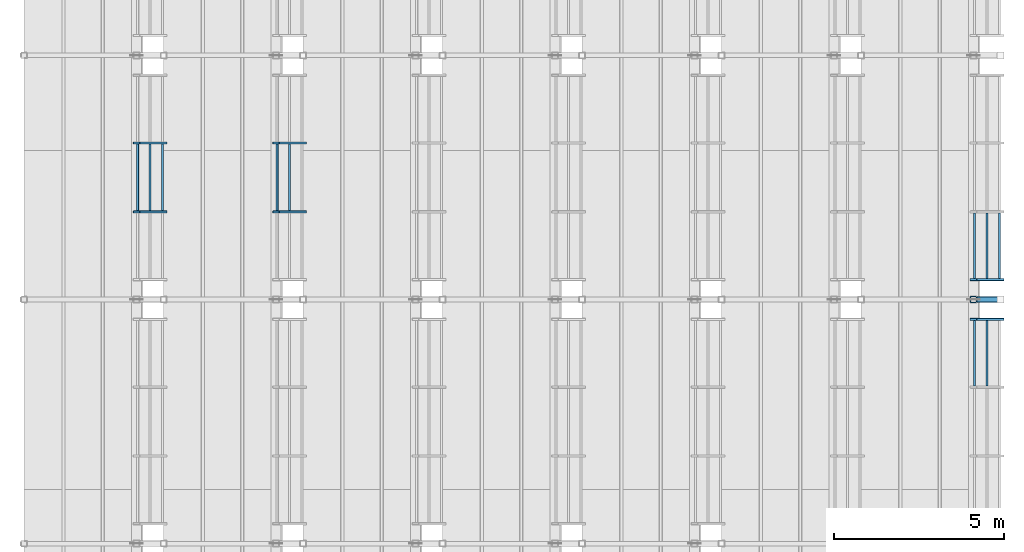
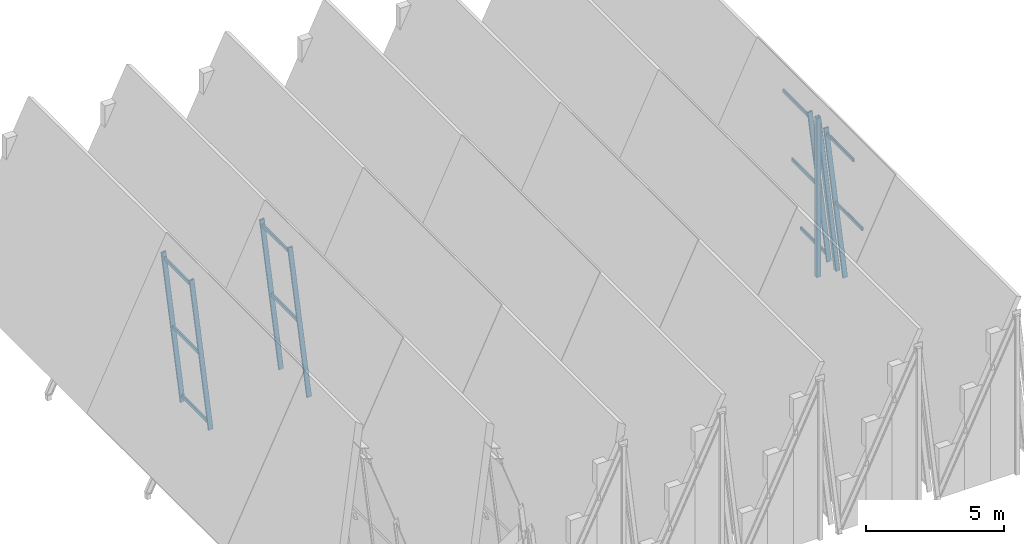
# One storey, part 6 of 28: 18 members, 4 elements without a shape of their own.
"""IFC4 building model written with IfcOpenShell, lengths in metres."""

from ifc_helpers import new_model, si_unit, direction, frame, origin, origin_2d, place, context, subcontext, project, spatial, hollow_rectangle, extrude, material, material_profile, profile_set, type_object, element, aggregate, save


model = new_model("IFC4")

# Units and contexts
model_context = context("Model", 3, precision=1e-05, world=origin(), true_north=direction((0.0, 1.0)))
body_context = subcontext(model_context, "Body", "Model", "MODEL_VIEW")
ifc_project = project(units=[si_unit("LENGTHUNIT", "METRE"), si_unit("AREAUNIT", "SQUARE_METRE"), si_unit("VOLUMEUNIT", "CUBIC_METRE"), si_unit("PLANEANGLEUNIT", "RADIAN"), si_unit("MASSUNIT", "GRAM", prefix="KILO")], contexts=[model_context])

# Site, building, storey
site_placement = place(None, origin())
site = spatial("IfcSite", under=ifc_project, at=site_placement, CompositionType="ELEMENT")
building_placement = place(site_placement, origin())
building = spatial("IfcBuilding", under=site, at=building_placement, Name="Bramveld Media Centre", CompositionType="ELEMENT")
storey_placement = place(building_placement, frame((0.0, 0.0, 33.89990234375)))
storey = spatial("IfcBuildingStorey", under=building, at=storey_placement, Name="ROOF", CompositionType="ELEMENT", Elevation=33.89990234375)

# Curtain wall, members
ifc_material_1 = material(Name="Thermally broken anodized bronze aluminium unitized curtain wall with solar-control triple glazing", Category="aluminium")
curtain_wall_type = type_object("IfcCurtainWallType", Name="CW-CRN-6100x6941", PredefinedType="NOTDEFINED", material=ifc_material_1)
curtain_wall_1_placement = place(storey_placement, origin())
curtain_wall_1 = element("IfcCurtainWall", 1, at=curtain_wall_1_placement, inside=storey, type_object=curtain_wall_type, Name="V7 crown clerestory B1-S3", PredefinedType="NOTDEFINED")
ifc_material_2 = material(Name="Thermally broken anodized bronze aluminium EN AW-6063 T6 curtain-wall framing", Category="aluminium")
ifc_material_profile_1 = material_profile(ifc_material_2, hollow_rectangle(XDim=0.070068359375, YDim=0.199951171875, WallThickness=0.00439453125, InnerFilletRadius=0.00439453125, OuterFilletRadius=0.009033203125, at=origin_2d()), Name="AL-MULL 70x200")
ifc_profile_set_1 = profile_set([ifc_material_profile_1], Name="Thermally broken anodized bronze aluminium EN AW-6063 T6 curtain-wall framing")
member_type_1 = type_object("IfcMemberType", Name="CW-MULL-SLP", PredefinedType="MULLION", material=ifc_profile_set_1)
member_1_placement = place(storey_placement, frame((135.314208984375, 100.183349609375, -0.02001953125), z_axis=(-0.115228868081, 0.0, 0.993338969315), x_axis=(0.0, -1.0, 0.0)))
member_1 = element("IfcMember", 2, at=member_1_placement, type_object=member_type_1, Name="CW-CR-6169 sloped mullion 2", PredefinedType="MULLION", context=body_context, shape_type="SweptSolid", body=[
    extrude(hollow_rectangle(XDim=0.070068359375, YDim=0.199951171875, WallThickness=0.00439453125, InnerFilletRadius=0.00439453125, OuterFilletRadius=0.009033203125, at=origin_2d()), origin(), (0.0, 0.0, 1.0), 6.94091796875),
])
member_2_placement = place(storey_placement, frame((135.314208984375, 102.216796875, -0.02001953125), z_axis=(-0.115228868081, 0.0, 0.993338969315), x_axis=(0.0, -1.0, 0.0)))
member_2 = element("IfcMember", 3, at=member_2_placement, type_object=member_type_1, Name="CW-CR-6169 sloped mullion 3", PredefinedType="MULLION", context=body_context, shape_type="SweptSolid", body=[
    extrude(hollow_rectangle(XDim=0.070068359375, YDim=0.199951171875, WallThickness=0.00439453125, InnerFilletRadius=0.00439453125, OuterFilletRadius=0.009033203125, at=origin_2d()), origin(), (0.0, 0.0, 1.0), 6.94091796875),
])

curtain_wall_2_placement = place(storey_placement, origin())
curtain_wall_2 = element("IfcCurtainWall", 4, at=curtain_wall_2_placement, inside=storey, type_object=curtain_wall_type, Name="V7 crown clerestory B2-S3", PredefinedType="NOTDEFINED")
member_3_placement = place(storey_placement, frame((139.4287109375, 100.183349609375, -0.02001953125), z_axis=(-0.115263574492, 0.0, 0.993334942703), x_axis=(0.0, -1.0, 0.0)))
member_3 = element("IfcMember", 5, at=member_3_placement, type_object=member_type_1, Name="CW-CR-6169 sloped mullion 2", PredefinedType="MULLION", context=body_context, shape_type="SweptSolid", body=[
    extrude(hollow_rectangle(XDim=0.070068359375, YDim=0.199951171875, WallThickness=0.00439453125, InnerFilletRadius=0.00439453125, OuterFilletRadius=0.009033203125, at=origin_2d()), origin(), (0.0, 0.0, 1.0), 6.94091796875),
])
member_4_placement = place(storey_placement, frame((139.4287109375, 102.216796875, -0.02001953125), z_axis=(-0.115263574492, 0.0, 0.993334942703), x_axis=(0.0, -1.0, 0.0)))
member_4 = element("IfcMember", 6, at=member_4_placement, type_object=member_type_1, Name="CW-CR-6169 sloped mullion 3", PredefinedType="MULLION", context=body_context, shape_type="SweptSolid", body=[
    extrude(hollow_rectangle(XDim=0.070068359375, YDim=0.199951171875, WallThickness=0.00439453125, InnerFilletRadius=0.00439453125, OuterFilletRadius=0.009033203125, at=origin_2d()), origin(), (0.0, 0.0, 1.0), 6.94091796875),
])

# Curtain wall, member
curtain_wall_3_placement = place(storey_placement, origin())
curtain_wall_3 = element("IfcCurtainWall", 7, at=curtain_wall_3_placement, inside=storey, type_object=curtain_wall_type, Name="V7 crown clerestory B7-S2", PredefinedType="NOTDEFINED")
member_5_placement = place(storey_placement, frame((160.0, 97.014892578125, -0.02001953125), z_axis=(-0.115263574492, 0.0, 0.993334942703), x_axis=(0.0, -1.0, 0.0)))
member_5 = element("IfcMember", 8, at=member_5_placement, type_object=member_type_1, Name="CW-CR-6169 sloped mullion 4", PredefinedType="MULLION", context=body_context, shape_type="SweptSolid", body=[
    extrude(hollow_rectangle(XDim=0.070068359375, YDim=0.199951171875, WallThickness=0.00439453125, InnerFilletRadius=0.00439453125, OuterFilletRadius=0.009033203125, at=origin_2d()), origin(), (0.0, 0.0, 1.0), 6.94091796875),
])

curtain_wall_4_placement = place(storey_placement, origin())
curtain_wall_4 = element("IfcCurtainWall", 9, at=curtain_wall_4_placement, inside=storey, type_object=curtain_wall_type, Name="V7 crown clerestory B7-S3", PredefinedType="NOTDEFINED")
member_6_placement = place(storey_placement, frame((160.0, 98.18505859375, -0.02001953125), z_axis=(-0.115263574492, 0.0, 0.993334942703), x_axis=(0.0, -1.0, 0.0)))
member_6 = element("IfcMember", 10, at=member_6_placement, type_object=member_type_1, Name="CW-CR-6169 sloped mullion 1", PredefinedType="MULLION", context=body_context, shape_type="SweptSolid", body=[
    extrude(hollow_rectangle(XDim=0.070068359375, YDim=0.199951171875, WallThickness=0.00439453125, InnerFilletRadius=0.00439453125, OuterFilletRadius=0.009033203125, at=origin_2d()), origin(), (0.0, 0.0, 1.0), 6.94091796875),
])

# Member
ifc_material_3 = material(Name="Thermally broken anodized bronze aluminium EN AW-6063 T6 curtain-wall framing", Category="aluminium")
ifc_material_profile_2 = material_profile(ifc_material_3, hollow_rectangle(XDim=0.070068359375, YDim=0.14990234375, WallThickness=0.00390625, InnerFilletRadius=0.00390625, OuterFilletRadius=0.008056640625, at=origin_2d()), Name="AL-TRAN 70x150")
ifc_profile_set_2 = profile_set([ifc_material_profile_2], Name="Thermally broken anodized bronze aluminium EN AW-6063 T6 curtain-wall framing")
member_type_2 = type_object("IfcMemberType", Name="CW-TRAN-SLP", PredefinedType="USERDEFINED", material=ifc_profile_set_2)
member_7_placement = place(storey_placement, frame((135.2822265625, 100.21826171875, 0.255859375), z_axis=(0.0, 1.0, 0.0), x_axis=(-1.0, 0.0, 0.0)))
member_7 = element("IfcMember", 11, at=member_7_placement, type_object=member_type_2, Name="CW-CR-6169 transom 2.1", ObjectType="TRANSOM", PredefinedType="USERDEFINED", context=body_context, shape_type="SweptSolid", body=[
    extrude(hollow_rectangle(XDim=0.070068359375, YDim=0.14990234375, WallThickness=0.00390625, InnerFilletRadius=0.00390625, OuterFilletRadius=0.008056640625, at=origin_2d()), origin(), (0.0, 0.0, 1.0), 1.96337890625),
])

member_8_placement = place(storey_placement, frame((134.914306640625, 100.21826171875, 3.427490234375), z_axis=(0.0, 1.0, 0.0), x_axis=(-1.0, 0.0, 0.0)))
member_8 = element("IfcMember", 12, at=member_8_placement, type_object=member_type_2, Name="CW-CR-6169 transom 2.2", ObjectType="TRANSOM", PredefinedType="USERDEFINED", context=body_context, shape_type="SweptSolid", body=[
    extrude(hollow_rectangle(XDim=0.070068359375, YDim=0.14990234375, WallThickness=0.00390625, InnerFilletRadius=0.00390625, OuterFilletRadius=0.008056640625, at=origin_2d()), origin(), (0.0, 0.0, 1.0), 1.96337890625),
])

member_9_placement = place(storey_placement, frame((134.54638671875, 100.21826171875, 6.598876953125), z_axis=(0.0, 1.0, 0.0), x_axis=(-1.0, 0.0, 0.0)))
member_9 = element("IfcMember", 13, at=member_9_placement, type_object=member_type_2, Name="CW-CR-6169 transom 2.3", ObjectType="TRANSOM", PredefinedType="USERDEFINED", context=body_context, shape_type="SweptSolid", body=[
    extrude(hollow_rectangle(XDim=0.070068359375, YDim=0.14990234375, WallThickness=0.00390625, InnerFilletRadius=0.00390625, OuterFilletRadius=0.008056640625, at=origin_2d()), origin(), (0.0, 0.0, 1.0), 1.96337890625),
])

aggregate(curtain_wall_1, [member_1, member_2, member_7, member_8, member_9])

member_10_placement = place(storey_placement, frame((139.028564453125, 100.21826171875, 3.427490234375), z_axis=(0.0, 1.0, 0.0), x_axis=(-1.0, 0.0, 0.0)))
member_10 = element("IfcMember", 14, at=member_10_placement, type_object=member_type_2, Name="CW-CR-6169 transom 2.2", ObjectType="TRANSOM", PredefinedType="USERDEFINED", context=body_context, shape_type="SweptSolid", body=[
    extrude(hollow_rectangle(XDim=0.070068359375, YDim=0.14990234375, WallThickness=0.00390625, InnerFilletRadius=0.00390625, OuterFilletRadius=0.008056640625, at=origin_2d()), origin(), (0.0, 0.0, 1.0), 1.96337890625),
])

member_11_placement = place(storey_placement, frame((138.66064453125, 100.21826171875, 6.598876953125), z_axis=(0.0, 1.0, 0.0), x_axis=(-1.0, 0.0, 0.0)))
member_11 = element("IfcMember", 15, at=member_11_placement, type_object=member_type_2, Name="CW-CR-6169 transom 2.3", ObjectType="TRANSOM", PredefinedType="USERDEFINED", context=body_context, shape_type="SweptSolid", body=[
    extrude(hollow_rectangle(XDim=0.070068359375, YDim=0.14990234375, WallThickness=0.00390625, InnerFilletRadius=0.00390625, OuterFilletRadius=0.008056640625, at=origin_2d()), origin(), (0.0, 0.0, 1.0), 1.96337890625),
])

aggregate(curtain_wall_2, [member_3, member_4, member_10, member_11])

member_12_placement = place(storey_placement, frame((159.60009765625, 95.0517578125, 3.427490234375), z_axis=(0.0, 1.0, 0.0), x_axis=(-1.0, 0.0, 0.0)))
member_12 = element("IfcMember", 16, at=member_12_placement, type_object=member_type_2, Name="CW-CR-6169 transom 3.2", ObjectType="TRANSOM", PredefinedType="USERDEFINED", context=body_context, shape_type="SweptSolid", body=[
    extrude(hollow_rectangle(XDim=0.070068359375, YDim=0.14990234375, WallThickness=0.00390625, InnerFilletRadius=0.00390625, OuterFilletRadius=0.008056640625, at=origin_2d()), origin(), (0.0, 0.0, 1.0), 1.92822265625),
])

member_13_placement = place(storey_placement, frame((159.23193359375, 95.0517578125, 6.598876953125), z_axis=(0.0, 1.0, 0.0), x_axis=(-1.0, 0.0, 0.0)))
member_13 = element("IfcMember", 17, at=member_13_placement, type_object=member_type_2, Name="CW-CR-6169 transom 3.3", ObjectType="TRANSOM", PredefinedType="USERDEFINED", context=body_context, shape_type="SweptSolid", body=[
    extrude(hollow_rectangle(XDim=0.070068359375, YDim=0.14990234375, WallThickness=0.00390625, InnerFilletRadius=0.00390625, OuterFilletRadius=0.008056640625, at=origin_2d()), origin(), (0.0, 0.0, 1.0), 1.92822265625),
])

aggregate(curtain_wall_3, [member_5, member_12, member_13])

member_14_placement = place(storey_placement, frame((159.968017578125, 98.219970703125, 0.255859375), z_axis=(0.0, 1.0, 0.0), x_axis=(-1.0, 0.0, 0.0)))
member_14 = element("IfcMember", 18, at=member_14_placement, type_object=member_type_2, Name="CW-CR-6169 transom 1.1", ObjectType="TRANSOM", PredefinedType="USERDEFINED", context=body_context, shape_type="SweptSolid", body=[
    extrude(hollow_rectangle(XDim=0.070068359375, YDim=0.14990234375, WallThickness=0.00390625, InnerFilletRadius=0.00390625, OuterFilletRadius=0.008056640625, at=origin_2d()), origin(), (0.0, 0.0, 1.0), 1.92822265625),
])

member_15_placement = place(storey_placement, frame((159.60009765625, 98.219970703125, 3.427490234375), z_axis=(0.0, 1.0, 0.0), x_axis=(-1.0, 0.0, 0.0)))
member_15 = element("IfcMember", 19, at=member_15_placement, type_object=member_type_2, Name="CW-CR-6169 transom 1.2", ObjectType="TRANSOM", PredefinedType="USERDEFINED", context=body_context, shape_type="SweptSolid", body=[
    extrude(hollow_rectangle(XDim=0.070068359375, YDim=0.14990234375, WallThickness=0.00390625, InnerFilletRadius=0.00390625, OuterFilletRadius=0.008056640625, at=origin_2d()), origin(), (0.0, 0.0, 1.0), 1.92822265625),
])

member_16_placement = place(storey_placement, frame((159.23193359375, 98.219970703125, 6.598876953125), z_axis=(0.0, 1.0, 0.0), x_axis=(-1.0, 0.0, 0.0)))
member_16 = element("IfcMember", 20, at=member_16_placement, type_object=member_type_2, Name="CW-CR-6169 transom 1.3", ObjectType="TRANSOM", PredefinedType="USERDEFINED", context=body_context, shape_type="SweptSolid", body=[
    extrude(hollow_rectangle(XDim=0.070068359375, YDim=0.14990234375, WallThickness=0.00390625, InnerFilletRadius=0.00390625, OuterFilletRadius=0.008056640625, at=origin_2d()), origin(), (0.0, 0.0, 1.0), 1.92822265625),
])

aggregate(curtain_wall_4, [member_6, member_14, member_15, member_16])

# Members
ifc_material_4 = material(Name="Steel S355J2H", Category="steel")
ifc_material_profile_3 = material_profile(ifc_material_4, hollow_rectangle(XDim=0.179931640625, YDim=0.179931640625, WallThickness=0.010009765625, InnerFilletRadius=0.010009765625, OuterFilletRadius=0.02001953125, at=origin_2d()), Name="SHS 180x180x10")
ifc_profile_set_3 = profile_set([ifc_material_profile_3], Name="Steel S355J2H")
member_type_3 = type_object("IfcMemberType", Name="MEM-POST-SHS180", PredefinedType="POST", material=ifc_profile_set_3)
member_17_placement = place(storey_placement, frame((159.199951171875, 97.60009765625, -0.0498046875), z_axis=(0.0, 0.0, 1.0), x_axis=(1.0, 0.0, 0.0)))
element("IfcMember", 21, at=member_17_placement, inside=storey, type_object=member_type_3, Name="CRN-FR-B07-F3 gable kingpost", PredefinedType="POST", context=body_context, shape_type="SweptSolid", body=[
    extrude(hollow_rectangle(XDim=0.179931640625, YDim=0.179931640625, WallThickness=0.010009765625, InnerFilletRadius=0.010009765625, OuterFilletRadius=0.02001953125, at=origin_2d()), origin(), (0.0, 0.0, 1.0), 7.044677734375),
])
ifc_material_5 = material(Name="Steel S355J2H", Category="steel")
ifc_material_profile_4 = material_profile(ifc_material_5, hollow_rectangle(XDim=0.179931640625, YDim=0.179931640625, WallThickness=0.010009765625, InnerFilletRadius=0.010009765625, OuterFilletRadius=0.02001953125, at=origin_2d()), Name="SHS 180x180x10")
ifc_profile_set_4 = profile_set([ifc_material_profile_4], Name="Steel S355J2H")
member_type_4 = type_object("IfcMemberType", Name="MEM-STRUT-SHS180", PredefinedType="STRUT", material=ifc_profile_set_4)
member_18_placement = place(storey_placement, frame((160.0, 97.60009765625, -0.0498046875), z_axis=(-0.112842469029, 0.0, 0.993612891011), x_axis=(0.0, -1.0, 0.0)))
element("IfcMember", 22, at=member_18_placement, inside=storey, type_object=member_type_4, Name="CRN-FR-B07-F3 gable strut", PredefinedType="STRUT", context=body_context, shape_type="SweptSolid", body=[
    extrude(hollow_rectangle(XDim=0.179931640625, YDim=0.179931640625, WallThickness=0.010009765625, InnerFilletRadius=0.010009765625, OuterFilletRadius=0.02001953125, at=origin_2d()), origin(), (0.0, 0.0, 1.0), 7.08984375),
])

save(model, "model.ifc")
